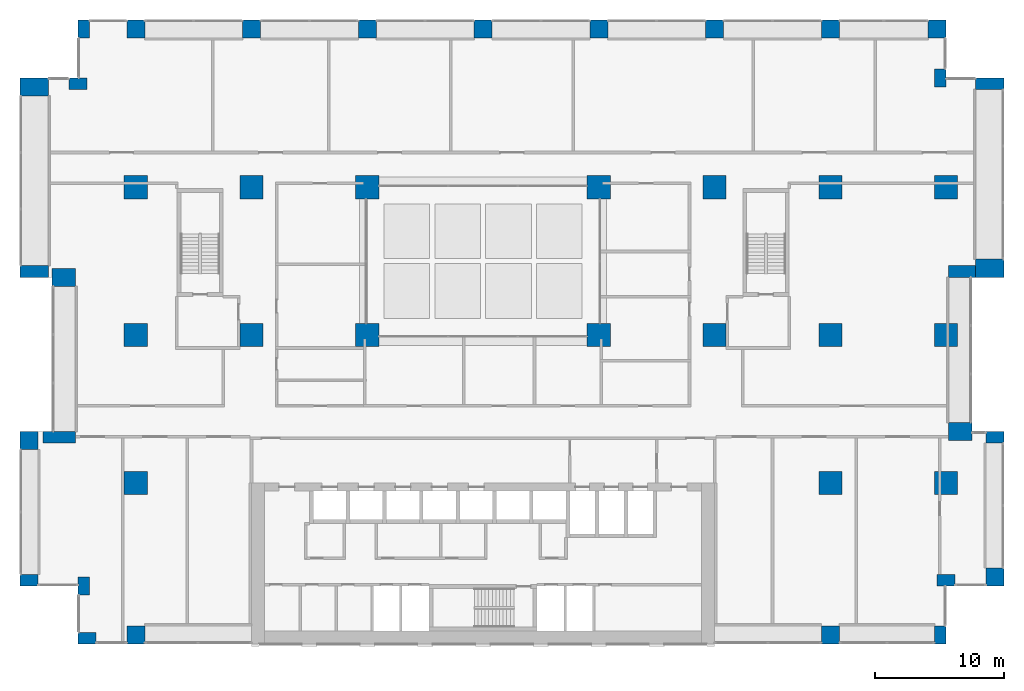
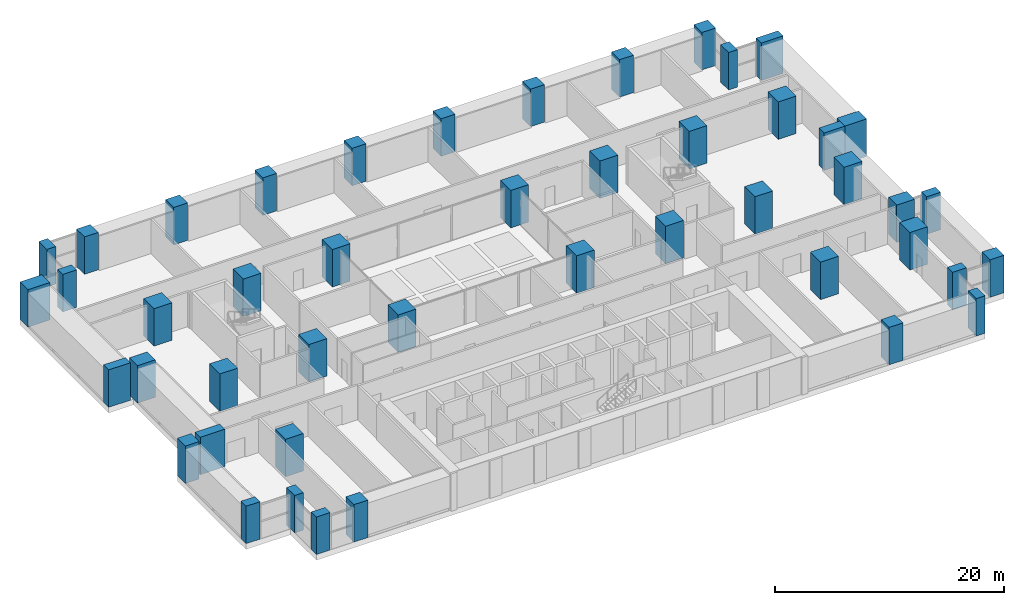
# One storey, part 1 of 24: 46 columns.
"""IFC4 building model written with IfcOpenShell, lengths in metres."""

import ifcopenshell
import ifcopenshell.guid

model = None  # the IFC model being written
_history = None  # IfcOwnerHistory: only IFC2X3 demands one
_inside = {}  # id of a spatial element -> (the spatial element, [elements in it])
_under = {}  # id of a project, library or spatial element -> (it, [spatial elements below it])
_declared = {}  # id of a project -> (the project, [libraries it declares])
_typed = {}  # id of a type object -> (the type object, [elements of that type])
_made_of = {}  # id of a material, layer set ... -> (it, [elements and type objects made of it])


def new_model(schema):
    """Start an empty IFC model of exactly this schema.

    Asked for "IFC4X3", IfcOpenShell would pick the latest addendum, in which some entities
    have other attributes; the version numbers below select the first issue.
    IFC2X3 requires an IfcOwnerHistory on every rooted entity: one is made here for all.
    """
    global model, _history
    if schema == "IFC4X3":
        model = ifcopenshell.file(schema_version=(4, 3, 0, 0))
    else:
        model = ifcopenshell.file(schema=schema)
    _inside.clear()
    _under.clear()
    _declared.clear()
    _typed.clear()
    _made_of.clear()
    _history = None
    if model.schema == "IFC2X3":
        org = make("IfcOrganization", Name="unknown")
        user = make(
            "IfcPersonAndOrganization",
            ThePerson=make("IfcPerson", FamilyName="unknown"),
            TheOrganization=org,
        )
        app = make(
            "IfcApplication",
            ApplicationDeveloper=org,
            Version="unknown",
            ApplicationFullName="unknown",
            ApplicationIdentifier="unknown",
        )
        _history = make(
            "IfcOwnerHistory",
            OwningUser=user,
            OwningApplication=app,
            ChangeAction="ADDED",
            CreationDate=0,
        )
    return model


def make(cls, **values):
    """One entity of the class cls with the attributes given. An attribute that is None is left unset."""
    return model.create_entity(
        cls, **{name: value for name, value in values.items() if value is not None}
    )


def rooted(cls, **values):
    """An entity with a GlobalId (a new one), such as an element, a storey or a relation."""
    return make(cls, GlobalId=ifcopenshell.guid.new(), OwnerHistory=_history, **values)


def si_unit(unit_type, name, prefix=None):
    """IfcSIUnit, for example si_unit("LENGTHUNIT", "METRE", prefix="MILLI")."""
    return make("IfcSIUnit", UnitType=unit_type, Prefix=prefix, Name=name)


def assignment(units):
    """IfcUnitAssignment: the units of a project."""
    return None if units is None else make("IfcUnitAssignment", Units=units)


def point(xyz):
    """IfcCartesianPoint."""
    return None if xyz is None else make("IfcCartesianPoint", Coordinates=xyz)


def direction(xyz):
    """IfcDirection."""
    return None if xyz is None else make("IfcDirection", DirectionRatios=xyz)


def frame(location, z_axis=None, x_axis=None):
    """IfcAxis2Placement3D, a coordinate frame: its origin and axes. An axis left out is left unset."""
    return make(
        "IfcAxis2Placement3D",
        Location=point(location),
        Axis=direction(z_axis),
        RefDirection=direction(x_axis),
    )


def frame_2d(location, x_axis=None):
    """IfcAxis2Placement2D, a coordinate frame in the plane: its origin and x axis."""
    return make(
        "IfcAxis2Placement2D", Location=point(location), RefDirection=direction(x_axis)
    )


def origin():
    """The frame at (0, 0, 0) with its axes left unset."""
    return frame((0.0, 0.0, 0.0))


def origin_2d():
    """The frame at (0, 0) in the plane with its x axis left unset."""
    return frame_2d((0.0, 0.0))


def place(relative_to, where):
    """IfcLocalPlacement: puts the frame where relative to a parent placement (None: the world)."""
    return make(
        "IfcLocalPlacement", PlacementRelTo=relative_to, RelativePlacement=where
    )


def context(
    kind, dimensions, precision=None, world=None, true_north=None, identifier=None
):
    """IfcGeometricRepresentationContext, for example the 3D "Model" context."""
    return make(
        "IfcGeometricRepresentationContext",
        ContextIdentifier=identifier,
        ContextType=kind,
        CoordinateSpaceDimension=dimensions,
        Precision=precision,
        WorldCoordinateSystem=world,
        TrueNorth=true_north,
    )


def subcontext(parent, identifier, kind, view, scale=None):
    """IfcGeometricRepresentationSubContext, for example "Body" below "Model"."""
    return make(
        "IfcGeometricRepresentationSubContext",
        ContextIdentifier=identifier,
        ContextType=kind,
        ParentContext=parent,
        TargetScale=scale,
        TargetView=view,
    )


def project(units=None, contexts=None):
    """IfcProject with its units and contexts."""
    return rooted(
        "IfcProject",
        Name="project",
        RepresentationContexts=contexts,
        UnitsInContext=assignment(units),
    )


def spatial(cls, under=None, at=None, **own):
    """A site, building, storey or space (cls), placed at a placement, below another one or the project."""
    s = rooted(cls, ObjectPlacement=at, **own)
    if under is not None:
        _under.setdefault(under.id(), (under, []))[1].append(s)
    return s


def profile(cls, at=None, kind="AREA", **sizes):
    """A parametric profile (cls). Its sizes go by their IFC names, for example OverallWidth=200.0."""
    return make(cls, ProfileType=kind, Position=at, **sizes)


def rectangle(**sizes):
    """IfcRectangleProfileDef."""
    return profile("IfcRectangleProfileDef", **sizes)


def extrude(swept, where, along, depth):
    """IfcExtrudedAreaSolid: the profile swept, set in the frame where, extruded along a direction by depth."""
    return make(
        "IfcExtrudedAreaSolid",
        SweptArea=swept,
        Position=where,
        ExtrudedDirection=direction(along),
        Depth=depth,
    )


def shape(context_of_items, identifier, shape_type, items):
    """IfcShapeRepresentation: the items that make up one representation, for example the "Body"."""
    return make(
        "IfcShapeRepresentation",
        ContextOfItems=context_of_items,
        RepresentationIdentifier=identifier,
        RepresentationType=shape_type,
        Items=items,
    )


def material(Name=None, Category=None):
    """IfcMaterial."""
    return make("IfcMaterial", Name=Name, Category=Category)


def material_profile(
    of_material, cross_section, Name=None, Category=None, Priority=None
):
    """IfcMaterialProfile: a cross section and its material."""
    return make(
        "IfcMaterialProfile",
        Name=Name,
        Material=of_material,
        Profile=cross_section,
        Priority=Priority,
        Category=Category,
    )


def profile_set(profiles, Name=None, composite=None):
    """IfcMaterialProfileSet."""
    return make(
        "IfcMaterialProfileSet",
        Name=Name,
        MaterialProfiles=profiles,
        CompositeProfile=composite,
    )


def made_of(thing, what):
    """Note that an element or type object is made of a material, layer set ...; save() writes the relation."""
    if what is not None:
        _made_of.setdefault(what.id(), (what, []))[1].append(thing)
    return thing


def type_object(cls, material=None, **own):
    """A type object (cls), such as IfcWallType, which elements share."""
    return made_of(rooted(cls, **own), material)


def element(
    cls,
    number,
    at=None,
    inside=None,
    cuts=None,
    type_object=None,
    material=None,
    context=None,
    identifier="Body",
    shape_type=None,
    held_by="IfcProductDefinitionShape",
    body=None,
    shapes=None,
    **own,
):
    """One element of the class cls, such as IfcWall. Its Tag is "e" and its number.

    at: its placement. inside: the storey or other place that contains it. cuts: it is an
    opening in that element (IfcRelVoidsElement). A single representation is given by context,
    identifier, shape_type and body (its items); several are given by shapes. held_by: the class
    of the entity that holds the representations. save() writes the other relations.
    """
    e = rooted(cls, Tag="e%d" % number, ObjectPlacement=at, **own)
    if body is not None:
        shapes = [shape(context, identifier, shape_type, body)]
    if shapes is not None:
        e.Representation = make(held_by, Representations=shapes)
    if inside is not None:
        _inside.setdefault(inside.id(), (inside, []))[1].append(e)
    if cuts is not None:
        rooted(
            "IfcRelVoidsElement", RelatingBuildingElement=cuts, RelatedOpeningElement=e
        )
    if type_object is not None:
        _typed.setdefault(type_object.id(), (type_object, []))[1].append(e)
    return made_of(e, material)


def aggregate(whole, parts):
    """IfcRelAggregates: a whole, such as a stair, and the parts it consists of."""
    return rooted("IfcRelAggregates", RelatingObject=whole, RelatedObjects=parts)


def save(model, path):
    """Write the relations noted so far, then the file.

    IfcRelAggregates (storeys below a building ...), IfcRelContainedInSpatialStructure (elements
    in a storey), IfcRelDefinesByType, IfcRelAssociatesMaterial and IfcRelDeclares: one each for
    every whole, place, type object, material and project.
    """
    for whole, parts in _under.values():
        aggregate(whole, parts)
    for where, things in _inside.values():
        rooted(
            "IfcRelContainedInSpatialStructure",
            RelatedElements=things,
            RelatingStructure=where,
        )
    for kind, things in _typed.values():
        rooted("IfcRelDefinesByType", RelatedObjects=things, RelatingType=kind)
    for what, things in _made_of.values():
        rooted("IfcRelAssociatesMaterial", RelatedObjects=things, RelatingMaterial=what)
    for by, libraries in _declared.values():
        rooted("IfcRelDeclares", RelatingContext=by, RelatedDefinitions=libraries)
    model.write(path)


model = new_model("IFC4")

# Units and contexts
model_context = context("Model", 3, precision=1e-05, world=origin(), true_north=direction((0.0, 1.0)))
body_context = subcontext(model_context, "Body", "Model", "MODEL_VIEW")
ifc_project = project(units=[si_unit("LENGTHUNIT", "METRE"), si_unit("AREAUNIT", "SQUARE_METRE"), si_unit("VOLUMEUNIT", "CUBIC_METRE"), si_unit("PLANEANGLEUNIT", "RADIAN"), si_unit("MASSUNIT", "GRAM", prefix="KILO")], contexts=[model_context])

# Site, building, storey
site_placement = place(None, origin())
site = spatial("IfcSite", under=ifc_project, at=site_placement, CompositionType="ELEMENT")
building_placement = place(site_placement, origin())
building = spatial("IfcBuilding", under=site, at=building_placement, Name="Brigalow Station Residences", CompositionType="ELEMENT")
storey_placement = place(building_placement, frame((0.0, 0.0, 15.5)))
storey = spatial("IfcBuildingStorey", under=building, at=storey_placement, Name="L03", CompositionType="ELEMENT", Elevation=15.5)

# Columns
ifc_material_1 = material(Name="Concrete C80", Category="concrete")
ifc_material_profile_1 = material_profile(ifc_material_1, rectangle(XDim=1.800048828125, YDim=1.800048828125, at=origin_2d()), Name="RC1800x1800")
ifc_profile_set_1 = profile_set([ifc_material_profile_1], Name="Concrete C80")
column_type_1 = type_object("IfcColumnType", Name="COLUMN 1800x1800 C80", PredefinedType="COLUMN", material=ifc_profile_set_1)
for number, where, z_axis, x_axis, name in (
    (1, (9.0, 12.5, 0.0), (0.0, 0.0, 1.0), (1.0, 0.0, 0.0), "COLUMN B1 L03"),
    (2, (9.0, 24.0, 0.0), (0.0, 0.0, 1.0), (1.0, 0.0, 0.0), "COLUMN C1 L03"),
    (3, (9.0, 35.5, 0.0), (0.0, 0.0, 1.0), (1.0, 0.0, 0.0), "COLUMN D1 L03"),
    (4, (18.0, 24.0, 0.0), (0.0, 0.0, 1.0), (1.0, 0.0, 0.0), "COLUMN C2 L03"),
    (5, (18.0, 35.5, 0.0), (0.0, 0.0, 1.0), (1.0, 0.0, 0.0), "COLUMN D2 L03"),
    (6, (27.0, 24.0, 0.0), (0.0, 0.0, 1.0), (1.0, 0.0, 0.0), "COLUMN C3 L03"),
    (7, (27.0, 35.5, 0.0), (0.0, 0.0, 1.0), (1.0, 0.0, 0.0), "COLUMN D3 L03"),
    (8, (45.0, 24.0, 0.0), (0.0, 0.0, 1.0), (1.0, 0.0, 0.0), "COLUMN C5 L03"),
    (9, (45.0, 35.5, 0.0), (0.0, 0.0, 1.0), (1.0, 0.0, 0.0), "COLUMN D5 L03"),
    (10, (54.0, 24.0, 0.0), (0.0, 0.0, 1.0), (1.0, 0.0, 0.0), "COLUMN C6 L03"),
    (11, (54.0, 35.5, 0.0), (0.0, 0.0, 1.0), (1.0, 0.0, 0.0), "COLUMN D6 L03"),
    (12, (63.0, 12.5, 0.0), (0.0, 0.0, 1.0), (1.0, 0.0, 0.0), "COLUMN B7 L03"),
    (13, (63.0, 24.0, 0.0), (0.0, 0.0, 1.0), (1.0, 0.0, 0.0), "COLUMN C7 L03"),
    (14, (63.0, 35.5, 0.0), (0.0, 0.0, 1.0), (1.0, 0.0, 0.0), "COLUMN D7 L03"),
    (15, (72.0, 12.5, 0.0), (0.0, 0.0, 1.0), (1.0, 0.0, 0.0), "COLUMN B8 L03"),
    (16, (72.0, 24.0, 0.0), (0.0, 0.0, 1.0), (1.0, 0.0, 0.0), "COLUMN C8 L03"),
    (17, (72.0, 35.5, 0.0), (0.0, 0.0, 1.0), (1.0, 0.0, 0.0), "COLUMN D8 L03"),
):
    element("IfcColumn", number, at=place(storey_placement, frame(where, z_axis=z_axis, x_axis=x_axis)), inside=storey, type_object=column_type_1, Name=name, PredefinedType="COLUMN", context=body_context, shape_type="SweptSolid", body=[
        extrude(rectangle(XDim=1.800048828125, YDim=1.800048828125, at=origin_2d()), origin(), (0.0, 0.0, 1.0), 4.0),
    ])
ifc_material_2 = material(Name="Concrete C80", Category="concrete")
ifc_material_profile_2 = material_profile(ifc_material_2, rectangle(XDim=1.39990234375, YDim=0.89990234375, at=origin_2d()), Name="RC1400x900")
ifc_profile_set_2 = profile_set([ifc_material_profile_2], Name="Concrete C80")
column_type_2 = type_object("IfcColumnType", Name="PIER 1400x900 C80", PredefinedType="USERDEFINED", material=ifc_profile_set_2)
for number, where, z_axis, x_axis, name in (
    (18, (72.0, 4.949951171875, 0.0), (0.0, 0.0, 1.0), (1.0, 0.0, 0.0), "PIER SE2-1 L03"),
    (19, (71.550048828125, 44.0, 0.0), (0.0, 0.0, 1.0), (0.0, 1.0, 0.0), "PIER NE2-1 L03"),
    (20, (4.949951171875, 47.800048828125, 0.0), (0.0, 0.0, 1.0), (0.0, -1.0, 0.0), "PIER NW1-1 L03"),
    (21, (4.5, 43.550048828125, 0.0), (0.0, 0.0, 1.0), (-1.0, 0.0, 0.0), "PIER NW2-1 L03"),
    (22, (4.949951171875, 4.5, 0.0), (0.0, 0.0, 1.0), (0.0, -1.0, 0.0), "PIER SW2-1 L03"),
    (23, (5.199951171875, 0.449951171875, 0.0), (0.0, 0.0, 1.0), (1.0, 0.0, 0.0), "PIER S-1 L03"),
):
    element("IfcColumn", number, at=place(storey_placement, frame(where, z_axis=z_axis, x_axis=x_axis)), inside=storey, type_object=column_type_2, Name=name, ObjectType="PIER", PredefinedType="USERDEFINED", context=body_context, shape_type="SweptSolid", body=[
        extrude(rectangle(XDim=1.39990234375, YDim=0.89990234375, at=origin_2d()), origin(), (0.0, 0.0, 1.0), 4.0),
    ])
ifc_material_3 = material(Name="Concrete C80", Category="concrete")
ifc_material_profile_3 = material_profile(ifc_material_3, rectangle(XDim=1.39990234375, YDim=1.39990234375, at=origin_2d()), Name="RC1400x1400")
ifc_profile_set_3 = profile_set([ifc_material_profile_3], Name="Concrete C80")
column_type_3 = type_object("IfcColumnType", Name="PIER HEAD 1400x1400 C80", PredefinedType="USERDEFINED", material=ifc_profile_set_3)
for number, where, z_axis, x_axis, name in (
    (24, (9.0, 0.699951171875, 0.0), (0.0, 0.0, 1.0), (1.0, 0.0, 0.0), "PIER S-2 L03"),
    (25, (63.0, 0.699951171875, 0.0), (0.0, 0.0, 1.0), (1.0, 0.0, 0.0), "PIER S-14 L03"),
    (26, (75.800048828125, 5.199951171875, 0.0), (0.0, 0.0, 1.0), (0.0, 1.0, 0.0), "PIER E1-1 L03"),
    (27, (71.300048828125, 47.800048828125, 0.0), (0.0, 0.0, 1.0), (-1.0, 0.0, 0.0), "PIER N-1 L03"),
    (28, (63.0, 47.800048828125, 0.0), (0.0, 0.0, 1.0), (-1.0, 0.0, 0.0), "PIER N-3 L03"),
    (29, (54.0, 47.800048828125, 0.0), (0.0, 0.0, 1.0), (-1.0, 0.0, 0.0), "PIER N-5 L03"),
    (30, (45.0, 47.800048828125, 0.0), (0.0, 0.0, 1.0), (-1.0, 0.0, 0.0), "PIER N-7 L03"),
    (31, (36.0, 47.800048828125, 0.0), (0.0, 0.0, 1.0), (-1.0, 0.0, 0.0), "PIER N-9 L03"),
    (32, (27.0, 47.800048828125, 0.0), (0.0, 0.0, 1.0), (-1.0, 0.0, 0.0), "PIER N-11 L03"),
    (33, (18.0, 47.800048828125, 0.0), (0.0, 0.0, 1.0), (-1.0, 0.0, 0.0), "PIER N-13 L03"),
    (34, (9.0, 47.800048828125, 0.0), (0.0, 0.0, 1.0), (-1.0, 0.0, 0.0), "PIER N-15 L03"),
    (35, (0.699951171875, 15.800048828125, 0.0), (0.0, 0.0, 1.0), (0.0, -1.0, 0.0), "PIER W1-1 L03"),
):
    element("IfcColumn", number, at=place(storey_placement, frame(where, z_axis=z_axis, x_axis=x_axis)), inside=storey, type_object=column_type_3, Name=name, ObjectType="PIER", PredefinedType="USERDEFINED", context=body_context, shape_type="SweptSolid", body=[
        extrude(rectangle(XDim=1.39990234375, YDim=1.39990234375, at=origin_2d()), origin(), (0.0, 0.0, 1.0), 4.0),
    ])
ifc_material_4 = material(Name="Concrete C80", Category="concrete")
ifc_material_profile_4 = material_profile(ifc_material_4, rectangle(XDim=1.39990234375, YDim=1.800048828125, at=origin_2d()), Name="RC1400x1800")
ifc_profile_set_4 = profile_set([ifc_material_profile_4], Name="Concrete C80")
column_type_4 = type_object("IfcColumnType", Name="PIER HEAD 1400x1800 C80", PredefinedType="USERDEFINED", material=ifc_profile_set_4)
for number, where, z_axis, x_axis, name in (
    (36, (73.10009765625, 16.5, 0.0), (0.0, 0.0, 1.0), (0.0, 1.0, 0.0), "PIER EL2-1 L03"),
    (37, (3.39990234375, 28.5, 0.0), (0.0, 0.0, 1.0), (0.0, -1.0, 0.0), "PIER WL2-1 L03"),
):
    element("IfcColumn", number, at=place(storey_placement, frame(where, z_axis=z_axis, x_axis=x_axis)), inside=storey, type_object=column_type_4, Name=name, ObjectType="PIER", PredefinedType="USERDEFINED", context=body_context, shape_type="SweptSolid", body=[
        extrude(rectangle(XDim=1.39990234375, YDim=1.800048828125, at=origin_2d()), origin(), (0.0, 0.0, 1.0), 4.0),
    ])
ifc_material_5 = material(Name="Concrete C80", Category="concrete")
ifc_material_profile_5 = material_profile(ifc_material_5, rectangle(XDim=1.39990234375, YDim=2.199951171875, at=origin_2d()), Name="RC1400x2200")
ifc_profile_set_5 = profile_set([ifc_material_profile_5], Name="Concrete C80")
column_type_5 = type_object("IfcColumnType", Name="PIER HEAD 1400x2200 C80", PredefinedType="USERDEFINED", material=ifc_profile_set_5)
for number, where, z_axis, x_axis, name in (
    (38, (75.39990234375, 29.199951171875, 0.0), (0.0, 0.0, 1.0), (0.0, 1.0, 0.0), "PIER E2-1 L03"),
    (39, (1.10009765625, 43.300048828125, 0.0), (0.0, 0.0, 1.0), (0.0, -1.0, 0.0), "PIER W2-1 L03"),
):
    element("IfcColumn", number, at=place(storey_placement, frame(where, z_axis=z_axis, x_axis=x_axis)), inside=storey, type_object=column_type_5, Name=name, ObjectType="PIER", PredefinedType="USERDEFINED", context=body_context, shape_type="SweptSolid", body=[
        extrude(rectangle(XDim=1.39990234375, YDim=2.199951171875, at=origin_2d()), origin(), (0.0, 0.0, 1.0), 4.0),
    ])
ifc_material_6 = material(Name="Concrete C80", Category="concrete")
ifc_material_profile_6 = material_profile(ifc_material_6, rectangle(XDim=1.39990234375, YDim=0.89990234375, at=origin_2d()), Name="RC1400x900")
ifc_profile_set_6 = profile_set([ifc_material_profile_6], Name="Concrete C80")
column_type_6 = type_object("IfcColumnType", Name="PIER HEAD 1400x900 C80", PredefinedType="USERDEFINED", material=ifc_profile_set_6)
for number, where, z_axis, x_axis, name in (
    (40, (71.550048828125, 0.699951171875, 0.0), (0.0, 0.0, 1.0), (0.0, 1.0, 0.0), "PIER SE1-1 L03"),
    (41, (75.800048828125, 16.050048828125, 0.0), (0.0, 0.0, 1.0), (-1.0, 0.0, 0.0), "PIER EL1-1 L03"),
    (42, (0.699951171875, 4.949951171875, 0.0), (0.0, 0.0, 1.0), (1.0, 0.0, 0.0), "PIER SW1-1 L03"),
):
    element("IfcColumn", number, at=place(storey_placement, frame(where, z_axis=z_axis, x_axis=x_axis)), inside=storey, type_object=column_type_6, Name=name, ObjectType="PIER", PredefinedType="USERDEFINED", context=body_context, shape_type="SweptSolid", body=[
        extrude(rectangle(XDim=1.39990234375, YDim=0.89990234375, at=origin_2d()), origin(), (0.0, 0.0, 1.0), 4.0),
    ])
ifc_material_7 = material(Name="Concrete C80", Category="concrete")
ifc_material_profile_7 = material_profile(ifc_material_7, rectangle(XDim=2.10009765625, YDim=0.89990234375, at=origin_2d()), Name="RC2100x900")
ifc_profile_set_7 = profile_set([ifc_material_profile_7], Name="Concrete C80")
column_type_7 = type_object("IfcColumnType", Name="PIER HEAD 2100x900 C80", PredefinedType="USERDEFINED", material=ifc_profile_set_7)
column_1_placement = place(storey_placement, frame((73.25, 28.949951171875, 0.0), z_axis=(0.0, 0.0, 1.0), x_axis=(1.0, 0.0, 0.0)))
element("IfcColumn", 43, at=column_1_placement, inside=storey, type_object=column_type_7, Name="PIER EL3-1 L03", ObjectType="PIER", PredefinedType="USERDEFINED", context=body_context, shape_type="SweptSolid", body=[
    extrude(rectangle(XDim=2.10009765625, YDim=0.89990234375, at=origin_2d()), origin(), (0.0, 0.0, 1.0), 4.0),
])
ifc_material_8 = material(Name="Concrete C80", Category="concrete")
ifc_material_profile_8 = material_profile(ifc_material_8, rectangle(XDim=2.199951171875, YDim=0.89990234375, at=origin_2d()), Name="RC2200x900")
ifc_profile_set_8 = profile_set([ifc_material_profile_8], Name="Concrete C80")
column_type_8 = type_object("IfcColumnType", Name="PIER HEAD 2200x900 C80", PredefinedType="USERDEFINED", material=ifc_profile_set_8)
for number, where, z_axis, x_axis, name in (
    (44, (75.39990234375, 43.550048828125, 0.0), (0.0, 0.0, 1.0), (-1.0, 0.0, 0.0), "PIER NE1-1 L03"),
    (45, (1.10009765625, 28.949951171875, 0.0), (0.0, 0.0, 1.0), (1.0, 0.0, 0.0), "PIER WL1-1 L03"),
):
    element("IfcColumn", number, at=place(storey_placement, frame(where, z_axis=z_axis, x_axis=x_axis)), inside=storey, type_object=column_type_8, Name=name, ObjectType="PIER", PredefinedType="USERDEFINED", context=body_context, shape_type="SweptSolid", body=[
        extrude(rectangle(XDim=2.199951171875, YDim=0.89990234375, at=origin_2d()), origin(), (0.0, 0.0, 1.0), 4.0),
    ])
ifc_material_9 = material(Name="Concrete C80", Category="concrete")
ifc_material_profile_9 = material_profile(ifc_material_9, rectangle(XDim=2.5, YDim=0.89990234375, at=origin_2d()), Name="RC2500x900")
ifc_profile_set_9 = profile_set([ifc_material_profile_9], Name="Concrete C80")
column_type_9 = type_object("IfcColumnType", Name="PIER HEAD 2500x900 C80", PredefinedType="USERDEFINED", material=ifc_profile_set_9)
column_2_placement = place(storey_placement, frame((3.050048828125, 16.050048828125, 0.0), z_axis=(0.0, 0.0, 1.0), x_axis=(-1.0, 0.0, 0.0)))
element("IfcColumn", 46, at=column_2_placement, inside=storey, type_object=column_type_9, Name="PIER WL3-1 L03", ObjectType="PIER", PredefinedType="USERDEFINED", context=body_context, shape_type="SweptSolid", body=[
    extrude(rectangle(XDim=2.5, YDim=0.89990234375, at=origin_2d()), origin(), (0.0, 0.0, 1.0), 4.0),
])

save(model, "model.ifc")
